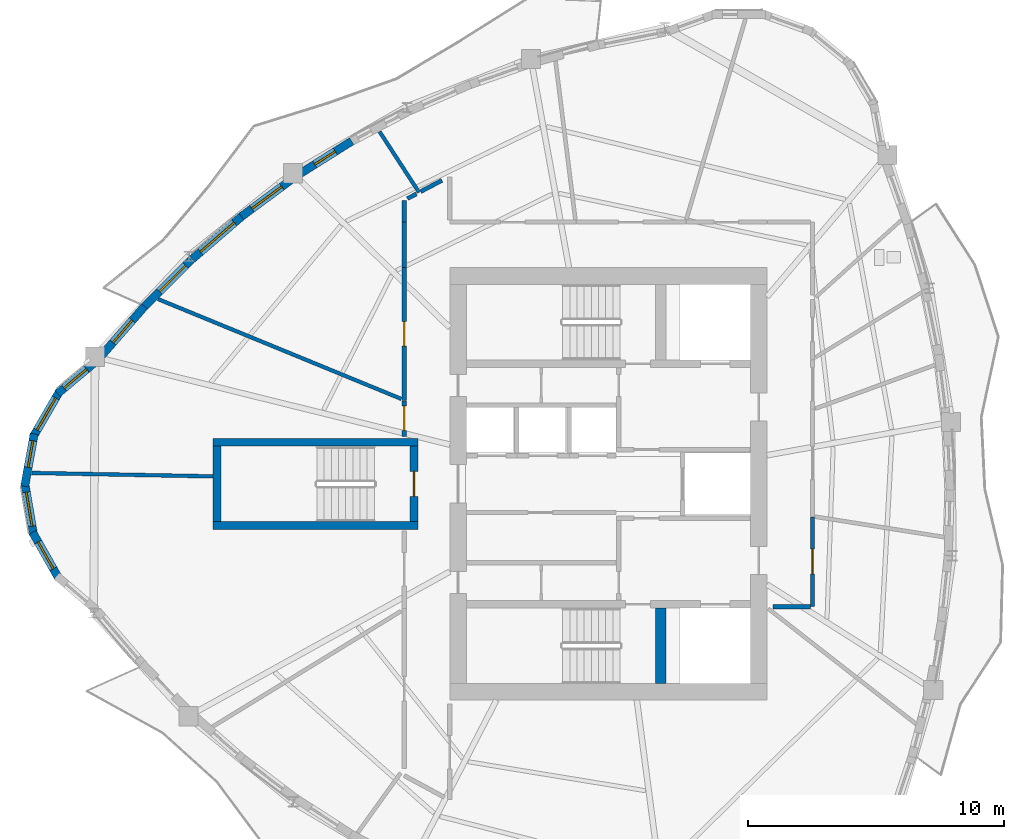
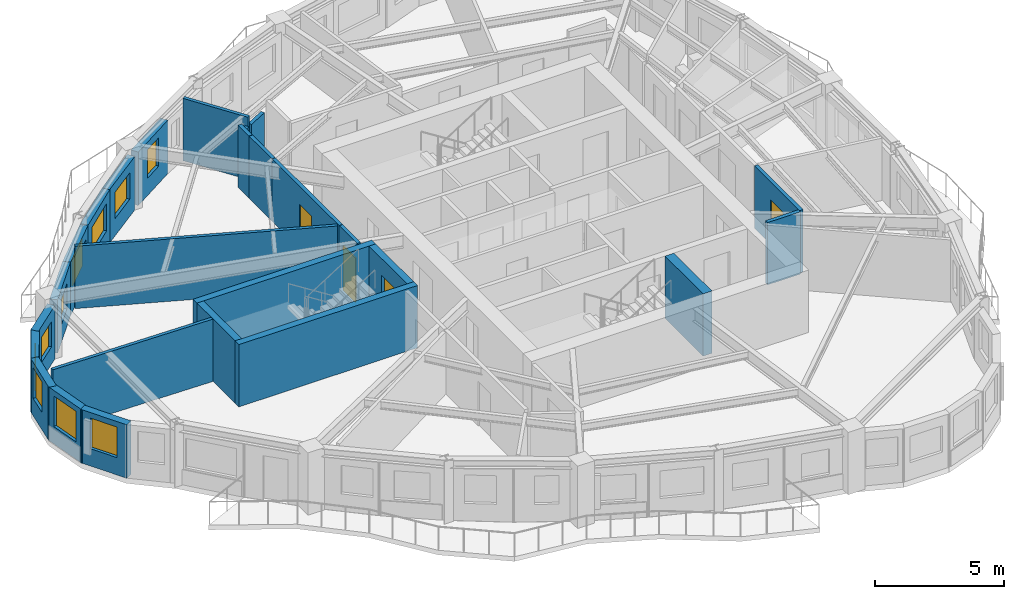
# One storey, part 4 of 12: 26 walls, 10 windows, 4 doors, 14 openings.
"""IFC4 building model written with IfcOpenShell, lengths in metres."""

import ifcopenshell
import ifcopenshell.guid

model = None  # the IFC model being written
_history = None  # IfcOwnerHistory: only IFC2X3 demands one
_inside = {}  # id of a spatial element -> (the spatial element, [elements in it])
_under = {}  # id of a project, library or spatial element -> (it, [spatial elements below it])
_declared = {}  # id of a project -> (the project, [libraries it declares])
_typed = {}  # id of a type object -> (the type object, [elements of that type])
_made_of = {}  # id of a material, layer set ... -> (it, [elements and type objects made of it])


def new_model(schema):
    """Start an empty IFC model of exactly this schema.

    Asked for "IFC4X3", IfcOpenShell would pick the latest addendum, in which some entities
    have other attributes; the version numbers below select the first issue.
    IFC2X3 requires an IfcOwnerHistory on every rooted entity: one is made here for all.
    """
    global model, _history
    if schema == "IFC4X3":
        model = ifcopenshell.file(schema_version=(4, 3, 0, 0))
    else:
        model = ifcopenshell.file(schema=schema)
    _inside.clear()
    _under.clear()
    _declared.clear()
    _typed.clear()
    _made_of.clear()
    _history = None
    if model.schema == "IFC2X3":
        org = make("IfcOrganization", Name="unknown")
        user = make(
            "IfcPersonAndOrganization",
            ThePerson=make("IfcPerson", FamilyName="unknown"),
            TheOrganization=org,
        )
        app = make(
            "IfcApplication",
            ApplicationDeveloper=org,
            Version="unknown",
            ApplicationFullName="unknown",
            ApplicationIdentifier="unknown",
        )
        _history = make(
            "IfcOwnerHistory",
            OwningUser=user,
            OwningApplication=app,
            ChangeAction="ADDED",
            CreationDate=0,
        )
    return model


def make(cls, **values):
    """One entity of the class cls with the attributes given. An attribute that is None is left unset."""
    return model.create_entity(
        cls, **{name: value for name, value in values.items() if value is not None}
    )


def rooted(cls, **values):
    """An entity with a GlobalId (a new one), such as an element, a storey or a relation."""
    return make(cls, GlobalId=ifcopenshell.guid.new(), OwnerHistory=_history, **values)


def si_unit(unit_type, name, prefix=None):
    """IfcSIUnit, for example si_unit("LENGTHUNIT", "METRE", prefix="MILLI")."""
    return make("IfcSIUnit", UnitType=unit_type, Prefix=prefix, Name=name)


def assignment(units):
    """IfcUnitAssignment: the units of a project."""
    return None if units is None else make("IfcUnitAssignment", Units=units)


def point(xyz):
    """IfcCartesianPoint."""
    return None if xyz is None else make("IfcCartesianPoint", Coordinates=xyz)


def direction(xyz):
    """IfcDirection."""
    return None if xyz is None else make("IfcDirection", DirectionRatios=xyz)


def frame(location, z_axis=None, x_axis=None):
    """IfcAxis2Placement3D, a coordinate frame: its origin and axes. An axis left out is left unset."""
    return make(
        "IfcAxis2Placement3D",
        Location=point(location),
        Axis=direction(z_axis),
        RefDirection=direction(x_axis),
    )


def frame_2d(location, x_axis=None):
    """IfcAxis2Placement2D, a coordinate frame in the plane: its origin and x axis."""
    return make(
        "IfcAxis2Placement2D", Location=point(location), RefDirection=direction(x_axis)
    )


def origin():
    """The frame at (0, 0, 0) with its axes left unset."""
    return frame((0.0, 0.0, 0.0))


def place(relative_to, where):
    """IfcLocalPlacement: puts the frame where relative to a parent placement (None: the world)."""
    return make(
        "IfcLocalPlacement", PlacementRelTo=relative_to, RelativePlacement=where
    )


def context(
    kind, dimensions, precision=None, world=None, true_north=None, identifier=None
):
    """IfcGeometricRepresentationContext, for example the 3D "Model" context."""
    return make(
        "IfcGeometricRepresentationContext",
        ContextIdentifier=identifier,
        ContextType=kind,
        CoordinateSpaceDimension=dimensions,
        Precision=precision,
        WorldCoordinateSystem=world,
        TrueNorth=true_north,
    )


def subcontext(parent, identifier, kind, view, scale=None):
    """IfcGeometricRepresentationSubContext, for example "Body" below "Model"."""
    return make(
        "IfcGeometricRepresentationSubContext",
        ContextIdentifier=identifier,
        ContextType=kind,
        ParentContext=parent,
        TargetScale=scale,
        TargetView=view,
    )


def project(units=None, contexts=None):
    """IfcProject with its units and contexts."""
    return rooted(
        "IfcProject",
        Name="project",
        RepresentationContexts=contexts,
        UnitsInContext=assignment(units),
    )


def spatial(cls, under=None, at=None, **own):
    """A site, building, storey or space (cls), placed at a placement, below another one or the project."""
    s = rooted(cls, ObjectPlacement=at, **own)
    if under is not None:
        _under.setdefault(under.id(), (under, []))[1].append(s)
    return s


def profile(cls, at=None, kind="AREA", **sizes):
    """A parametric profile (cls). Its sizes go by their IFC names, for example OverallWidth=200.0."""
    return make(cls, ProfileType=kind, Position=at, **sizes)


def rectangle(**sizes):
    """IfcRectangleProfileDef."""
    return profile("IfcRectangleProfileDef", **sizes)


def extrude(swept, where, along, depth):
    """IfcExtrudedAreaSolid: the profile swept, set in the frame where, extruded along a direction by depth."""
    return make(
        "IfcExtrudedAreaSolid",
        SweptArea=swept,
        Position=where,
        ExtrudedDirection=direction(along),
        Depth=depth,
    )


def shape(context_of_items, identifier, shape_type, items):
    """IfcShapeRepresentation: the items that make up one representation, for example the "Body"."""
    return make(
        "IfcShapeRepresentation",
        ContextOfItems=context_of_items,
        RepresentationIdentifier=identifier,
        RepresentationType=shape_type,
        Items=items,
    )


def source(mapping_origin, context_of_items, identifier, shape_type, items):
    """IfcRepresentationMap: a shape defined once, which mapped items show again and again."""
    return make(
        "IfcRepresentationMap",
        MappingOrigin=mapping_origin,
        MappedRepresentation=shape(context_of_items, identifier, shape_type, items),
    )


def transform(
    local_origin,
    x_axis=None,
    y_axis=None,
    z_axis=None,
    scale=None,
    scale2=None,
    scale3=None,
    uniform=True,
):
    """IfcCartesianTransformationOperator3D, or its non-uniform kind. x_axis, y_axis, z_axis: its Axis1, 2, 3."""
    if uniform:
        return make(
            "IfcCartesianTransformationOperator3D",
            Axis1=direction(x_axis),
            Axis2=direction(y_axis),
            LocalOrigin=point(local_origin),
            Scale=scale,
            Axis3=direction(z_axis),
        )
    return make(
        "IfcCartesianTransformationOperator3DnonUniform",
        Axis1=direction(x_axis),
        Axis2=direction(y_axis),
        LocalOrigin=point(local_origin),
        Scale=scale,
        Axis3=direction(z_axis),
        Scale2=scale2,
        Scale3=scale3,
    )


def mapped(mapping_source, mapping_target):
    """IfcMappedItem: shows the shape of a source again, moved by a transform."""
    return make(
        "IfcMappedItem", MappingSource=mapping_source, MappingTarget=mapping_target
    )


def material(Name=None, Category=None):
    """IfcMaterial."""
    return make("IfcMaterial", Name=Name, Category=Category)


def layer(
    of_material, thickness, ventilated=None, Name=None, Category=None, Priority=None
):
    """IfcMaterialLayer: one layer of a wall or slab, of a material (None: an air gap)."""
    return make(
        "IfcMaterialLayer",
        Material=of_material,
        LayerThickness=thickness,
        IsVentilated=ventilated,
        Name=Name,
        Category=Category,
        Priority=Priority,
    )


def layer_set(layers, Name=None):
    """IfcMaterialLayerSet."""
    return make("IfcMaterialLayerSet", MaterialLayers=layers, LayerSetName=Name)


def made_of(thing, what):
    """Note that an element or type object is made of a material, layer set ...; save() writes the relation."""
    if what is not None:
        _made_of.setdefault(what.id(), (what, []))[1].append(thing)
    return thing


def type_object(cls, material=None, **own):
    """A type object (cls), such as IfcWallType, which elements share."""
    return made_of(rooted(cls, **own), material)


def element(
    cls,
    number,
    at=None,
    inside=None,
    cuts=None,
    type_object=None,
    material=None,
    context=None,
    identifier="Body",
    shape_type=None,
    held_by="IfcProductDefinitionShape",
    body=None,
    shapes=None,
    **own,
):
    """One element of the class cls, such as IfcWall. Its Tag is "e" and its number.

    at: its placement. inside: the storey or other place that contains it. cuts: it is an
    opening in that element (IfcRelVoidsElement). A single representation is given by context,
    identifier, shape_type and body (its items); several are given by shapes. held_by: the class
    of the entity that holds the representations. save() writes the other relations.
    """
    e = rooted(cls, Tag="e%d" % number, ObjectPlacement=at, **own)
    if body is not None:
        shapes = [shape(context, identifier, shape_type, body)]
    if shapes is not None:
        e.Representation = make(held_by, Representations=shapes)
    if inside is not None:
        _inside.setdefault(inside.id(), (inside, []))[1].append(e)
    if cuts is not None:
        rooted(
            "IfcRelVoidsElement", RelatingBuildingElement=cuts, RelatedOpeningElement=e
        )
    if type_object is not None:
        _typed.setdefault(type_object.id(), (type_object, []))[1].append(e)
    return made_of(e, material)


def fill(opening, filler):
    """IfcRelFillsElement: the door or window that sits in an opening."""
    return rooted(
        "IfcRelFillsElement",
        RelatingOpeningElement=opening,
        RelatedBuildingElement=filler,
    )


def aggregate(whole, parts):
    """IfcRelAggregates: a whole, such as a stair, and the parts it consists of."""
    return rooted("IfcRelAggregates", RelatingObject=whole, RelatedObjects=parts)


def save(model, path):
    """Write the relations noted so far, then the file.

    IfcRelAggregates (storeys below a building ...), IfcRelContainedInSpatialStructure (elements
    in a storey), IfcRelDefinesByType, IfcRelAssociatesMaterial and IfcRelDeclares: one each for
    every whole, place, type object, material and project.
    """
    for whole, parts in _under.values():
        aggregate(whole, parts)
    for where, things in _inside.values():
        rooted(
            "IfcRelContainedInSpatialStructure",
            RelatedElements=things,
            RelatingStructure=where,
        )
    for kind, things in _typed.values():
        rooted("IfcRelDefinesByType", RelatedObjects=things, RelatingType=kind)
    for what, things in _made_of.values():
        rooted("IfcRelAssociatesMaterial", RelatedObjects=things, RelatingMaterial=what)
    for by, libraries in _declared.values():
        rooted("IfcRelDeclares", RelatingContext=by, RelatedDefinitions=libraries)
    model.write(path)


model = new_model("IFC4")

# Units and contexts
model_context = context("Model", 3, precision=1e-05, world=origin(), true_north=direction((0.0, 1.0)))
body_context = subcontext(model_context, "Body", "Model", "MODEL_VIEW")
ifc_project = project(units=[si_unit("LENGTHUNIT", "METRE"), si_unit("AREAUNIT", "SQUARE_METRE"), si_unit("VOLUMEUNIT", "CUBIC_METRE"), si_unit("PLANEANGLEUNIT", "RADIAN"), si_unit("MASSUNIT", "GRAM", prefix="KILO")], contexts=[model_context])

# Site, building, storey
site_placement = place(None, origin())
site = spatial("IfcSite", under=ifc_project, at=site_placement, CompositionType="ELEMENT")
building_placement = place(site_placement, origin())
building = spatial("IfcBuilding", under=site, at=building_placement, Name="Qafzar Sky-Pleat Residences", CompositionType="ELEMENT")
storey_placement = place(building_placement, frame((0.0, 0.0, 177.800048828125)))
storey = spatial("IfcBuildingStorey", under=building, at=storey_placement, Name="L53", CompositionType="ELEMENT", Elevation=177.800048828125)

# Wall, opening, door
ifc_material_1 = material(Name="Acoustic gypsum plasterboard partition", Category="gypsum")
ifc_layer_1 = layer(ifc_material_1, 0.159912109375)
ifc_layer_set_1 = layer_set([ifc_layer_1], Name="Acoustic gypsum plasterboard partition")
wall_type_1 = type_object("IfcWallType", Name="PART-COR-160", PredefinedType="PARTITIONING", material=ifc_layer_set_1)
wall_1_placement = place(storey_placement, frame((22.3701171875, 29.259033203125, 0.0), z_axis=(0.0, 0.0, 1.0), x_axis=(0.0, 1.0, 0.0)))
wall_1 = element("IfcWall", 1, at=wall_1_placement, inside=storey, type_object=wall_type_1, Name="L53 Partition Wall PART-L53-PW-002", PredefinedType="PARTITIONING", context=body_context, shape_type="SweptSolid", body=[
    extrude(rectangle(XDim=5.19091796875, YDim=0.159912109375, at=frame_2d((2.595458984375, 0.0))), origin(), (0.0, 0.0, 1.0), 2.949951171875),
])
opening_1_placement = place(wall_1_placement, frame((2.12353515625, 0.0, 0.0)))
opening_1 = element("IfcOpeningElement", 2, at=opening_1_placement, cuts=wall_1, Name="Opening ID-06", PredefinedType="OPENING", context=body_context, shape_type="SweptSolid", body=[
    extrude(rectangle(XDim=0.9599609375, YDim=2.10009765625, at=frame_2d((0.47998046875, 1.050048828125))), frame((0.0, 0.08984375, 0.0), z_axis=(0.0, -1.0, 0.0), x_axis=(1.0, 0.0, 0.0)), (0.0, 0.0, 1.0), 0.179931640625),
])
ifc_material_2 = material(Name="Timber-faced fire door", Category="wood")
door_type_1 = type_object("IfcDoorType", Name="DR-STD-960", OperationType="NOTDEFINED", PredefinedType="DOOR", material=ifc_material_2)
shared_shape_1 = source(origin(), body_context, "Body", "SweptSolid", [
    extrude(rectangle(XDim=0.9599609375, YDim=2.10009765625, at=frame_2d((0.47998046875, 1.050048828125))), frame((0.0, 0.02490234375, 0.0), z_axis=(0.0, -1.0, 0.0), x_axis=(1.0, 0.0, 0.0)), (0.0, 0.0, 1.0), 0.050048828125),
])
door_1_placement = place(opening_1_placement, origin())
door_1 = element("IfcDoor", 3, at=door_1_placement, inside=storey, type_object=door_type_1, Name="L53 Faculty Research Office Door", OperationType="SINGLE_SWING_RIGHT", OverallHeight=2.10009765625, OverallWidth=0.9599609375, PredefinedType="DOOR", context=body_context, shape_type="MappedRepresentation", body=[
    mapped(shared_shape_1, transform((0.0, 0.0, 0.0), x_axis=(1.0, 0.0, 0.0), y_axis=(0.0, 1.0, 0.0), z_axis=(0.0, 0.0, 1.0), scale=1.0)),
])
fill(opening_1, door_1)

wall_2_placement = place(storey_placement, frame((38.330078125, 24.705078125, 0.0), z_axis=(0.0, 0.0, 1.0), x_axis=(0.0, -1.0, 0.0)))
wall_2 = element("IfcWall", 4, at=wall_2_placement, inside=storey, type_object=wall_type_1, Name="L53 Partition Wall PART-L53-PW-007", PredefinedType="PARTITIONING", context=body_context, shape_type="SweptSolid", body=[
    extrude(rectangle(XDim=3.505126953125, YDim=0.159912109375, at=frame_2d((1.75244140625, 0.0))), origin(), (0.0, 0.0, 1.0), 2.949951171875),
])
opening_2_placement = place(wall_2_placement, frame((1.257568359375, 0.0, 0.0)))
opening_2 = element("IfcOpeningElement", 5, at=opening_2_placement, cuts=wall_2, Name="Opening ID-06", PredefinedType="OPENING", context=body_context, shape_type="SweptSolid", body=[
    extrude(rectangle(XDim=0.9599609375, YDim=2.10009765625, at=frame_2d((0.47998046875, 1.050048828125))), frame((0.0, 0.08984375, 0.0), z_axis=(0.0, -1.0, 0.0), x_axis=(1.0, 0.0, 0.0)), (0.0, 0.0, 1.0), 0.179931640625),
])
door_2_placement = place(opening_2_placement, origin())
door_2 = element("IfcDoor", 6, at=door_2_placement, inside=storey, type_object=door_type_1, Name="L53 Media Screening Room Door", OperationType="SINGLE_SWING_LEFT", OverallHeight=2.10009765625, OverallWidth=0.9599609375, PredefinedType="DOOR", context=body_context, shape_type="MappedRepresentation", body=[
    mapped(shared_shape_1, transform((0.0, 0.0, 0.0), x_axis=(1.0, 0.0, 0.0), y_axis=(0.0, 1.0, 0.0), z_axis=(0.0, 0.0, 1.0), scale=1.0)),
])
fill(opening_2, door_2)

wall_3_placement = place(storey_placement, frame((22.3701171875, 27.85009765625, 0.0), z_axis=(0.0, 0.0, 1.0), x_axis=(0.0, 1.0, 0.0)))
wall_3 = element("IfcWall", 7, at=wall_3_placement, inside=storey, type_object=wall_type_1, Name="L53 Partition Wall PART-L53-PW-012", PredefinedType="PARTITIONING", context=body_context, shape_type="SweptSolid", body=[
    extrude(rectangle(XDim=1.393798828125, YDim=0.159912109375, at=frame_2d((0.69677734375, 0.0))), origin(), (0.0, 0.0, 1.0), 2.949951171875),
])
opening_3_placement = place(wall_3_placement, frame((0.23876953125, 0.0, 0.0)))
opening_3 = element("IfcOpeningElement", 8, at=opening_3_placement, cuts=wall_3, Name="Opening ID-06", PredefinedType="OPENING", context=body_context, shape_type="SweptSolid", body=[
    extrude(rectangle(XDim=0.9599609375, YDim=2.10009765625, at=frame_2d((0.47998046875, 1.050048828125))), frame((0.0, 0.08984375, 0.0), z_axis=(0.0, -1.0, 0.0), x_axis=(1.0, 0.0, 0.0)), (0.0, 0.0, 1.0), 0.179931640625),
])
door_3_placement = place(opening_3_placement, origin())
door_3 = element("IfcDoor", 9, at=door_3_placement, inside=storey, type_object=door_type_1, Name="L53 Scholar Co-Working Workspace Door", OperationType="SINGLE_SWING_RIGHT", OverallHeight=2.10009765625, OverallWidth=0.9599609375, PredefinedType="DOOR", context=body_context, shape_type="MappedRepresentation", body=[
    mapped(shared_shape_1, transform((0.0, 0.0, 0.0), x_axis=(1.0, 0.0, 0.0), y_axis=(0.0, 1.0, 0.0), z_axis=(0.0, 0.0, 1.0), scale=1.0)),
])
fill(opening_3, door_3)

# Walls
wall_4_placement = place(storey_placement, frame((36.7783203125, 21.199951171875, 0.0), z_axis=(0.0, 0.0, 1.0), x_axis=(1.0, 0.0, 0.0)))
element("IfcWall", 10, at=wall_4_placement, inside=storey, type_object=wall_type_1, Name="L53 Partition Wall PART-L53-PW-025", PredefinedType="PARTITIONING", context=body_context, shape_type="SweptSolid", body=[
    extrude(rectangle(XDim=1.463623046875, YDim=0.159912109375, at=frame_2d((0.73193359375, 0.0))), origin(), (0.0, 0.0, 1.0), 2.949951171875),
])
wall_5_placement = place(storey_placement, frame((22.3701171875, 34.465087890625, 0.0), z_axis=(0.0, 0.0, 1.0), x_axis=(0.0, 1.0, 0.0)))
element("IfcWall", 11, at=wall_5_placement, inside=storey, type_object=wall_type_1, Name="L53 Partition Wall PART-L53-PW-030", PredefinedType="PARTITIONING", context=body_context, shape_type="SweptSolid", body=[
    extrude(rectangle(XDim=1.764892578125, YDim=0.159912109375, at=frame_2d((0.88232421875, 0.0))), origin(), (0.0, 0.0, 1.0), 2.949951171875),
])
wall_6_placement = place(storey_placement, frame((23.013916015625, 37.426025390625, 0.0), z_axis=(0.0, 0.0, 1.0), x_axis=(0.884432472224, 0.466668192697, 0.0)))
element("IfcWall", 12, at=wall_6_placement, inside=storey, type_object=wall_type_1, Name="L53 Partition Wall PART-L53-PW-032", PredefinedType="PARTITIONING", context=body_context, shape_type="SweptSolid", body=[
    extrude(rectangle(XDim=0.9384765625, YDim=0.159912109375, at=frame_2d((0.46923828125, 0.0))), origin(), (0.0, 0.0, 1.0), 2.557861328125),
])
wall_7_placement = place(storey_placement, frame((22.3701171875, 36.2451171875, 0.0), z_axis=(0.0, 0.0, 1.0), x_axis=(0.0, 1.0, 0.0)))
element("IfcWall", 13, at=wall_7_placement, inside=storey, type_object=wall_type_1, Name="L53 Partition Wall PART-L53-PW-033", PredefinedType="PARTITIONING", context=body_context, shape_type="SweptSolid", body=[
    extrude(rectangle(XDim=0.8408203125, YDim=0.159912109375, at=frame_2d((0.42041015625, 0.0))), origin(), (0.0, 0.0, 1.0), 2.949951171875),
])
wall_8_placement = place(storey_placement, frame((22.494384765625, 37.151611328125, 0.0), z_axis=(0.0, 0.0, 1.0), x_axis=(0.884356504768, 0.466812138311, 0.0)))
element("IfcWall", 14, at=wall_8_placement, inside=storey, type_object=wall_type_1, Name="L53 Partition Wall PART-L53-PW-034", PredefinedType="PARTITIONING", context=body_context, shape_type="SweptSolid", body=[
    extrude(rectangle(XDim=0.396484375, YDim=0.159912109375, at=frame_2d((0.1982421875, 0.0))), origin(), (0.0, 0.0, 1.0), 2.557861328125),
])
ifc_layer_2 = layer(ifc_material_1, 0.14501953125)
ifc_layer_set_2 = layer_set([ifc_layer_2], Name="Acoustic gypsum plasterboard partition")
wall_type_2 = type_object("IfcWallType", Name="PART-UNIT-145", PredefinedType="PARTITIONING", material=ifc_layer_set_2)
wall_9_placement = place(storey_placement, frame((12.74853515625, 33.22265625, 0.0), z_axis=(0.0, 0.0, 1.0), x_axis=(0.925160061079, -0.379577213996, 0.0)))
element("IfcWall", 15, at=wall_9_placement, inside=storey, type_object=wall_type_2, Name="L53 Partition Wall PART-L53-PW-013", PredefinedType="PARTITIONING", context=body_context, shape_type="SweptSolid", body=[
    extrude(rectangle(XDim=10.275634765625, YDim=0.14501953125, at=frame_2d((5.1376953125, 0.0))), origin(), (0.0, 0.0, 1.0), 2.949951171875),
])
wall_10_placement = place(storey_placement, frame((7.810546875, 26.428466796875, 0.0), z_axis=(0.0, 0.0, 1.0), x_axis=(0.99982020308, -0.0189621073, 0.0)))
element("IfcWall", 16, at=wall_10_placement, inside=storey, type_object=wall_type_2, Name="L53 Partition Wall PART-L53-PW-017", PredefinedType="PARTITIONING", context=body_context, shape_type="SweptSolid", body=[
    extrude(rectangle(XDim=7.081298828125, YDim=0.14501953125, at=frame_2d((3.54052734375, 0.0))), origin(), (0.0, 0.0, 1.0), 2.949951171875),
])
wall_11_placement = place(storey_placement, frame((21.404541015625, 39.771240234375, 0.0), z_axis=(0.0, 0.0, 1.0), x_axis=(0.544731217197, -0.838610696933, 0.0)))
element("IfcWall", 17, at=wall_11_placement, inside=storey, type_object=wall_type_2, Name="L53 Partition Wall PART-L53-PW-024", PredefinedType="PARTITIONING", context=body_context, shape_type="SweptSolid", body=[
    extrude(rectangle(XDim=2.8369140625, YDim=0.14501953125, at=frame_2d((1.41845703125, 0.0))), origin(), (0.0, 0.0, 1.0), 2.949951171875),
])

# Wall, opening, window
ifc_material_3 = material(Name="Precast concrete C40/50 with honed Riyadh limestone", Category="concrete")
ifc_layer_3 = layer(ifc_material_3, 0.320068359375)
ifc_layer_set_3 = layer_set([ifc_layer_3], Name="Precast concrete C40/50 with honed Riyadh limestone")
wall_type_3 = type_object("IfcWallType", Name="WALL-EXT-320", PredefinedType="SOLIDWALL", material=ifc_layer_set_3)
wall_12_placement = place(storey_placement, frame((10.259521484375, 30.738525390625, 0.0), z_axis=(0.0, 0.0, 1.0), x_axis=(-0.766567176116, -0.642164125829, 0.0)))
wall_12 = element("IfcWall", 18, at=wall_12_placement, inside=storey, type_object=wall_type_3, Name="L53 Limestone Facade Wall 1", PredefinedType="SOLIDWALL", context=body_context, shape_type="SweptSolid", body=[
    extrude(rectangle(XDim=1.878173828125, YDim=0.320068359375, at=frame_2d((0.93896484375, 0.0))), origin(), (0.0, 0.0, 1.0), 2.530029296875),
])
opening_4_placement = place(wall_12_placement, frame((0.39892578125, 0.0, 0.820068359375)))
opening_4 = element("IfcOpeningElement", 19, at=opening_4_placement, cuts=wall_12, Name="Opening WN-16", PredefinedType="OPENING", context=body_context, shape_type="SweptSolid", body=[
    extrude(rectangle(XDim=1.14990234375, YDim=1.199951171875, at=frame_2d((0.574951171875, 0.60009765625))), frame((0.0, 0.169921875, 0.0), z_axis=(0.0, -1.0, 0.0), x_axis=(1.0, 0.0, 0.0)), (0.0, 0.0, 1.0), 0.340087890625),
])
ifc_material_4 = material(Name="Solar-control low-E glass in bronze aluminium frame", Category="glass")
window_type_1 = type_object("IfcWindowType", Name="WIN-16", PartitioningType="SINGLE_PANEL", PredefinedType="WINDOW", material=ifc_material_4)
shared_shape_2 = source(origin(), body_context, "Body", "SweptSolid", [
    extrude(rectangle(XDim=1.14990234375, YDim=1.199951171875, at=frame_2d((0.574951171875, 0.60009765625))), frame((0.0, 0.030029296875, 0.0), z_axis=(0.0, -1.0, 0.0), x_axis=(1.0, 0.0, 0.0)), (0.0, 0.0, 1.0), 0.06005859375),
])
window_1_placement = place(opening_4_placement, origin())
window_1 = element("IfcWindow", 20, at=window_1_placement, inside=storey, type_object=window_type_1, Name="L53 Punched Facade Window 01", OverallHeight=1.199951171875, OverallWidth=1.14990234375, PartitioningType="SINGLE_PANEL", PredefinedType="WINDOW", context=body_context, shape_type="MappedRepresentation", body=[
    mapped(shared_shape_2, transform((0.0, 0.0, 0.0), x_axis=(1.0, 0.0, 0.0), y_axis=(0.0, 1.0, 0.0), z_axis=(0.0, 0.0, 1.0), scale=1.0)),
])
fill(opening_4, window_1)

wall_13_placement = place(storey_placement, frame((8.90380859375, 29.632080078125, 0.0), z_axis=(0.0, 0.0, 1.0), x_axis=(-0.502090235641, -0.864815237651, 0.0)))
wall_13 = element("IfcWall", 21, at=wall_13_placement, inside=storey, type_object=wall_type_3, Name="L53 Limestone Facade Wall 2", PredefinedType="SOLIDWALL", context=body_context, shape_type="SweptSolid", body=[
    extrude(rectangle(XDim=2.0810546875, YDim=0.320068359375, at=frame_2d((1.04052734375, 0.0))), origin(), (0.0, 0.0, 1.0), 2.530029296875),
])
opening_5_placement = place(wall_13_placement, frame((0.3154296875, 0.0, 0.820068359375)))
opening_5 = element("IfcOpeningElement", 22, at=opening_5_placement, cuts=wall_13, Name="Opening WN-15", PredefinedType="OPENING", context=body_context, shape_type="SweptSolid", body=[
    extrude(rectangle(XDim=1.449951171875, YDim=1.25, at=frame_2d((0.72509765625, 0.625))), frame((0.0, 0.169921875, 0.0), z_axis=(0.0, -1.0, 0.0), x_axis=(1.0, 0.0, 0.0)), (0.0, 0.0, 1.0), 0.340087890625),
])
window_type_2 = type_object("IfcWindowType", Name="WIN-15", PartitioningType="SINGLE_PANEL", PredefinedType="WINDOW", material=ifc_material_4)
shared_shape_3 = source(origin(), body_context, "Body", "SweptSolid", [
    extrude(rectangle(XDim=1.449951171875, YDim=1.25, at=frame_2d((0.72509765625, 0.625))), frame((0.0, 0.030029296875, 0.0), z_axis=(0.0, -1.0, 0.0), x_axis=(1.0, 0.0, 0.0)), (0.0, 0.0, 1.0), 0.06005859375),
])
window_2_placement = place(opening_5_placement, origin())
window_2 = element("IfcWindow", 23, at=window_2_placement, inside=storey, type_object=window_type_2, Name="L53 Punched Facade Window 02", OverallHeight=1.25, OverallWidth=1.449951171875, PartitioningType="SINGLE_PANEL", PredefinedType="WINDOW", context=body_context, shape_type="MappedRepresentation", body=[
    mapped(shared_shape_3, transform((0.0, 0.0, 0.0), x_axis=(1.0, 0.0, 0.0), y_axis=(0.0, 1.0, 0.0), z_axis=(0.0, 0.0, 1.0), scale=1.0)),
])
fill(opening_5, window_2)

wall_14_placement = place(storey_placement, frame((7.90380859375, 27.95458984375, 0.0), z_axis=(0.0, 0.0, 1.0), x_axis=(-0.177605215389, -0.984101817632, 0.0)))
wall_14 = element("IfcWall", 24, at=wall_14_placement, inside=storey, type_object=wall_type_3, Name="L53 Limestone Facade Wall 3", PredefinedType="SOLIDWALL", context=body_context, shape_type="SweptSolid", body=[
    extrude(rectangle(XDim=2.081298828125, YDim=0.320068359375, at=frame_2d((1.04052734375, 0.0))), origin(), (0.0, 0.0, 1.0), 2.530029296875),
])
opening_6_placement = place(wall_14_placement, frame((0.276611328125, 0.0, 0.820068359375)))
opening_6 = element("IfcOpeningElement", 25, at=opening_6_placement, cuts=wall_14, Name="Opening WN-06", PredefinedType="OPENING", context=body_context, shape_type="SweptSolid", body=[
    extrude(rectangle(XDim=1.050048828125, YDim=1.449951171875, at=frame_2d((0.52490234375, 0.72509765625))), frame((0.0, 0.169921875, 0.0), z_axis=(0.0, -1.0, 0.0), x_axis=(1.0, 0.0, 0.0)), (0.0, 0.0, 1.0), 0.340087890625),
])
window_type_3 = type_object("IfcWindowType", Name="WIN-06", PartitioningType="SINGLE_PANEL", PredefinedType="WINDOW", material=ifc_material_4)
shared_shape_4 = source(origin(), body_context, "Body", "SweptSolid", [
    extrude(rectangle(XDim=1.050048828125, YDim=1.449951171875, at=frame_2d((0.52490234375, 0.72509765625))), frame((0.0, 0.030029296875, 0.0), z_axis=(0.0, -1.0, 0.0), x_axis=(1.0, 0.0, 0.0)), (0.0, 0.0, 1.0), 0.06005859375),
])
window_3_placement = place(opening_6_placement, origin())
window_3 = element("IfcWindow", 26, at=window_3_placement, inside=storey, type_object=window_type_3, Name="L53 Punched Facade Window 03", OverallHeight=1.449951171875, OverallWidth=1.050048828125, PartitioningType="SINGLE_PANEL", PredefinedType="WINDOW", context=body_context, shape_type="MappedRepresentation", body=[
    mapped(shared_shape_4, transform((0.0, 0.0, 0.0), x_axis=(1.0, 0.0, 0.0), y_axis=(0.0, 1.0, 0.0), z_axis=(0.0, 0.0, 1.0), scale=1.0)),
])
fill(opening_6, window_3)

wall_15_placement = place(storey_placement, frame((7.53466796875, 26.03662109375, 0.0), z_axis=(0.0, 0.0, 1.0), x_axis=(0.168107405166, -0.985768685001, 0.0)))
wall_15 = element("IfcWall", 27, at=wall_15_placement, inside=storey, type_object=wall_type_3, Name="L53 Limestone Facade Wall 4", PredefinedType="SOLIDWALL", context=body_context, shape_type="SweptSolid", body=[
    extrude(rectangle(XDim=2.0810546875, YDim=0.320068359375, at=frame_2d((1.04052734375, 0.0))), origin(), (0.0, 0.0, 1.0), 2.530029296875),
])
opening_7_placement = place(wall_15_placement, frame((0.365478515625, 0.0, 0.820068359375)))
opening_7 = element("IfcOpeningElement", 28, at=opening_7_placement, cuts=wall_15, Name="Opening WN-04", PredefinedType="OPENING", context=body_context, shape_type="SweptSolid", body=[
    extrude(rectangle(XDim=1.35009765625, YDim=1.449951171875, at=frame_2d((0.675048828125, 0.72509765625))), frame((0.0, 0.169921875, 0.0), z_axis=(0.0, -1.0, 0.0), x_axis=(1.0, 0.0, 0.0)), (0.0, 0.0, 1.0), 0.340087890625),
])
window_type_4 = type_object("IfcWindowType", Name="WIN-04", PartitioningType="SINGLE_PANEL", PredefinedType="WINDOW", material=ifc_material_4)
shared_shape_5 = source(origin(), body_context, "Body", "SweptSolid", [
    extrude(rectangle(XDim=1.35009765625, YDim=1.449951171875, at=frame_2d((0.675048828125, 0.72509765625))), frame((0.0, 0.030029296875, 0.0), z_axis=(0.0, -1.0, 0.0), x_axis=(1.0, 0.0, 0.0)), (0.0, 0.0, 1.0), 0.06005859375),
])
window_4_placement = place(opening_7_placement, origin())
window_4 = element("IfcWindow", 29, at=window_4_placement, inside=storey, type_object=window_type_4, Name="L53 Punched Facade Window 04", OverallHeight=1.449951171875, OverallWidth=1.35009765625, PartitioningType="SINGLE_PANEL", PredefinedType="WINDOW", context=body_context, shape_type="MappedRepresentation", body=[
    mapped(shared_shape_5, transform((0.0, 0.0, 0.0), x_axis=(1.0, 0.0, 0.0), y_axis=(0.0, 1.0, 0.0), z_axis=(0.0, 0.0, 1.0), scale=1.0)),
])
fill(opening_7, window_4)

wall_16_placement = place(storey_placement, frame((7.8408203125, 24.10791015625, 0.0), z_axis=(0.0, 0.0, 1.0), x_axis=(0.493660675866, -0.869654607936, 0.0)))
wall_16 = element("IfcWall", 30, at=wall_16_placement, inside=storey, type_object=wall_type_3, Name="L53 Limestone Facade Wall 5", PredefinedType="SOLIDWALL", context=body_context, shape_type="SweptSolid", body=[
    extrude(rectangle(XDim=2.0810546875, YDim=0.320068359375, at=frame_2d((1.04052734375, 0.0))), origin(), (0.0, 0.0, 1.0), 2.530029296875),
])
opening_8_placement = place(wall_16_placement, frame((0.4404296875, 0.0, 0.820068359375)))
opening_8 = element("IfcOpeningElement", 31, at=opening_8_placement, cuts=wall_16, Name="Opening WN-05", PredefinedType="OPENING", context=body_context, shape_type="SweptSolid", body=[
    extrude(rectangle(XDim=1.199951171875, YDim=1.449951171875, at=frame_2d((0.60009765625, 0.72509765625))), frame((0.0, 0.169921875, 0.0), z_axis=(0.0, -1.0, 0.0), x_axis=(1.0, 0.0, 0.0)), (0.0, 0.0, 1.0), 0.340087890625),
])
window_type_5 = type_object("IfcWindowType", Name="WIN-05", PartitioningType="SINGLE_PANEL", PredefinedType="WINDOW", material=ifc_material_4)
shared_shape_6 = source(origin(), body_context, "Body", "SweptSolid", [
    extrude(rectangle(XDim=1.199951171875, YDim=1.449951171875, at=frame_2d((0.60009765625, 0.72509765625))), frame((0.0, 0.030029296875, 0.0), z_axis=(0.0, -1.0, 0.0), x_axis=(1.0, 0.0, 0.0)), (0.0, 0.0, 1.0), 0.06005859375),
])
window_5_placement = place(opening_8_placement, origin())
window_5 = element("IfcWindow", 32, at=window_5_placement, inside=storey, type_object=window_type_5, Name="L53 Punched Facade Window 05", OverallHeight=1.449951171875, OverallWidth=1.199951171875, PartitioningType="SINGLE_PANEL", PredefinedType="WINDOW", context=body_context, shape_type="MappedRepresentation", body=[
    mapped(shared_shape_6, transform((0.0, 0.0, 0.0), x_axis=(1.0, 0.0, 0.0), y_axis=(0.0, 1.0, 0.0), z_axis=(0.0, 0.0, 1.0), scale=1.0)),
])
fill(opening_8, window_5)

wall_17_placement = place(storey_placement, frame((20.315673828125, 39.397705078125, 0.0), z_axis=(0.0, 0.0, 1.0), x_axis=(-0.846391108811, -0.532561818878, 0.0)))
wall_17 = element("IfcWall", 33, at=wall_17_placement, inside=storey, type_object=wall_type_3, Name="L53 Limestone Facade Wall 44", PredefinedType="SOLIDWALL", context=body_context, shape_type="SweptSolid", body=[
    extrude(rectangle(XDim=2.446533203125, YDim=0.320068359375, at=frame_2d((1.22314453125, 0.0))), origin(), (0.0, 0.0, 1.0), 2.530029296875),
])
opening_9_placement = place(wall_17_placement, frame((0.75341796875, 0.0, 0.820068359375)))
opening_9 = element("IfcOpeningElement", 34, at=opening_9_placement, cuts=wall_17, Name="Opening WN-12", PredefinedType="OPENING", context=body_context, shape_type="SweptSolid", body=[
    extrude(rectangle(XDim=0.949951171875, YDim=1.35009765625, at=frame_2d((0.47509765625, 0.675048828125))), frame((0.0, 0.169921875, 0.0), z_axis=(0.0, -1.0, 0.0), x_axis=(1.0, 0.0, 0.0)), (0.0, 0.0, 1.0), 0.340087890625),
])
window_type_6 = type_object("IfcWindowType", Name="WIN-12", PartitioningType="SINGLE_PANEL", PredefinedType="WINDOW", material=ifc_material_4)
shared_shape_7 = source(origin(), body_context, "Body", "SweptSolid", [
    extrude(rectangle(XDim=0.949951171875, YDim=1.35009765625, at=frame_2d((0.47509765625, 0.675048828125))), frame((0.0, 0.030029296875, 0.0), z_axis=(0.0, -1.0, 0.0), x_axis=(1.0, 0.0, 0.0)), (0.0, 0.0, 1.0), 0.06005859375),
])
window_6_placement = place(opening_9_placement, origin())
window_6 = element("IfcWindow", 35, at=window_6_placement, inside=storey, type_object=window_type_6, Name="L53 Punched Facade Window 44", OverallHeight=1.35009765625, OverallWidth=0.949951171875, PartitioningType="SINGLE_PANEL", PredefinedType="WINDOW", context=body_context, shape_type="MappedRepresentation", body=[
    mapped(shared_shape_7, transform((0.0, 0.0, 0.0), x_axis=(1.0, 0.0, 0.0), y_axis=(0.0, 1.0, 0.0), z_axis=(0.0, 0.0, 1.0), scale=1.0)),
])
fill(opening_9, window_6)

wall_18_placement = place(storey_placement, frame((17.982421875, 37.91552734375, 0.0), z_axis=(0.0, 0.0, 1.0), x_axis=(-0.803827672273, -0.594862230511, 0.0)))
wall_18 = element("IfcWall", 36, at=wall_18_placement, inside=storey, type_object=wall_type_3, Name="L53 Limestone Facade Wall 45", PredefinedType="SOLIDWALL", context=body_context, shape_type="SweptSolid", body=[
    extrude(rectangle(XDim=2.461669921875, YDim=0.320068359375, at=frame_2d((1.23095703125, 0.0))), origin(), (0.0, 0.0, 1.0), 2.530029296875),
])
opening_10_placement = place(wall_18_placement, frame((0.500732421875, 0.0, 0.820068359375)))
opening_10 = element("IfcOpeningElement", 37, at=opening_10_placement, cuts=wall_18, Name="Opening WN-15", PredefinedType="OPENING", context=body_context, shape_type="SweptSolid", body=[
    extrude(rectangle(XDim=1.449951171875, YDim=1.25, at=frame_2d((0.72509765625, 0.625))), frame((0.0, 0.169921875, 0.0), z_axis=(0.0, -1.0, 0.0), x_axis=(1.0, 0.0, 0.0)), (0.0, 0.0, 1.0), 0.340087890625),
])
window_7_placement = place(opening_10_placement, origin())
window_7 = element("IfcWindow", 38, at=window_7_placement, inside=storey, type_object=window_type_2, Name="L53 Punched Facade Window 45", OverallHeight=1.25, OverallWidth=1.449951171875, PartitioningType="SINGLE_PANEL", PredefinedType="WINDOW", context=body_context, shape_type="MappedRepresentation", body=[
    mapped(shared_shape_3, transform((0.0, 0.0, 0.0), x_axis=(1.0, 0.0, 0.0), y_axis=(0.0, 1.0, 0.0), z_axis=(0.0, 0.0, 1.0), scale=1.0)),
])
fill(opening_10, window_7)

wall_19_placement = place(storey_placement, frame((16.072265625, 36.506103515625, 0.0), z_axis=(0.0, 0.0, 1.0), x_axis=(-0.757455764876, -0.652886486502, 0.0)))
wall_19 = element("IfcWall", 39, at=wall_19_placement, inside=storey, type_object=wall_type_3, Name="L53 Limestone Facade Wall 46", PredefinedType="SOLIDWALL", context=body_context, shape_type="SweptSolid", body=[
    extrude(rectangle(XDim=2.635986328125, YDim=0.320068359375, at=frame_2d((1.31787109375, 0.0))), origin(), (0.0, 0.0, 1.0), 2.530029296875),
])
opening_11_placement = place(wall_19_placement, frame((0.452880859375, 0.0, 0.820068359375)))
opening_11 = element("IfcOpeningElement", 40, at=opening_11_placement, cuts=wall_19, Name="Opening WN-14", PredefinedType="OPENING", context=body_context, shape_type="SweptSolid", body=[
    extrude(rectangle(XDim=1.75, YDim=1.300048828125, at=frame_2d((0.875, 0.64990234375))), frame((0.0, 0.169921875, 0.0), z_axis=(0.0, -1.0, 0.0), x_axis=(1.0, 0.0, 0.0)), (0.0, 0.0, 1.0), 0.340087890625),
])
window_type_7 = type_object("IfcWindowType", Name="WIN-14", PartitioningType="DOUBLE_PANEL_VERTICAL", PredefinedType="WINDOW", material=ifc_material_4)
shared_shape_8 = source(origin(), body_context, "Body", "SweptSolid", [
    extrude(rectangle(XDim=1.75, YDim=1.300048828125, at=frame_2d((0.875, 0.64990234375))), frame((0.0, 0.030029296875, 0.0), z_axis=(0.0, -1.0, 0.0), x_axis=(1.0, 0.0, 0.0)), (0.0, 0.0, 1.0), 0.06005859375),
])
window_8_placement = place(opening_11_placement, origin())
window_8 = element("IfcWindow", 41, at=window_8_placement, inside=storey, type_object=window_type_7, Name="L53 Punched Facade Window 46", OverallHeight=1.300048828125, OverallWidth=1.75, PartitioningType="SINGLE_PANEL", PredefinedType="WINDOW", context=body_context, shape_type="MappedRepresentation", body=[
    mapped(shared_shape_8, transform((0.0, 0.0, 0.0), x_axis=(1.0, 0.0, 0.0), y_axis=(0.0, 1.0, 0.0), z_axis=(0.0, 0.0, 1.0), scale=1.0)),
])
fill(opening_11, window_8)

wall_20_placement = place(storey_placement, frame((14.054931640625, 34.765869140625, 0.0), z_axis=(0.0, 0.0, 1.0), x_axis=(-0.708335777277, -0.705875645301, 0.0)))
wall_20 = element("IfcWall", 42, at=wall_20_placement, inside=storey, type_object=wall_type_3, Name="L53 Limestone Facade Wall 47", PredefinedType="SOLIDWALL", context=body_context, shape_type="SweptSolid", body=[
    extrude(rectangle(XDim=2.679443359375, YDim=0.320068359375, at=frame_2d((1.33984375, 0.0))), origin(), (0.0, 0.0, 1.0), 2.530029296875),
])
opening_12_placement = place(wall_20_placement, frame((0.316650390625, 0.0, 0.820068359375)))
opening_12 = element("IfcOpeningElement", 43, at=opening_12_placement, cuts=wall_20, Name="Opening WN-15", PredefinedType="OPENING", context=body_context, shape_type="SweptSolid", body=[
    extrude(rectangle(XDim=1.449951171875, YDim=1.25, at=frame_2d((0.72509765625, 0.625))), frame((0.0, 0.169921875, 0.0), z_axis=(0.0, -1.0, 0.0), x_axis=(1.0, 0.0, 0.0)), (0.0, 0.0, 1.0), 0.340087890625),
])
window_9_placement = place(opening_12_placement, origin())
window_9 = element("IfcWindow", 44, at=window_9_placement, inside=storey, type_object=window_type_2, Name="L53 Punched Facade Window 47", OverallHeight=1.25, OverallWidth=1.449951171875, PartitioningType="SINGLE_PANEL", PredefinedType="WINDOW", context=body_context, shape_type="MappedRepresentation", body=[
    mapped(shared_shape_3, transform((0.0, 0.0, 0.0), x_axis=(1.0, 0.0, 0.0), y_axis=(0.0, 1.0, 0.0), z_axis=(0.0, 0.0, 1.0), scale=1.0)),
])
fill(opening_12, window_9)

wall_21_placement = place(storey_placement, frame((12.21630859375, 32.938232421875, 0.0), z_axis=(0.0, 0.0, 1.0), x_axis=(-0.657623701515, -0.753346578412, 0.0)))
wall_21 = element("IfcWall", 45, at=wall_21_placement, inside=storey, type_object=wall_type_3, Name="L53 Limestone Facade Wall 48", PredefinedType="SOLIDWALL", context=body_context, shape_type="SweptSolid", body=[
    extrude(rectangle(XDim=2.59130859375, YDim=0.320068359375, at=frame_2d((1.295654296875, 0.0))), origin(), (0.0, 0.0, 1.0), 2.530029296875),
])
opening_13_placement = place(wall_21_placement, frame((0.7255859375, 0.0, 0.820068359375)))
opening_13 = element("IfcOpeningElement", 46, at=opening_13_placement, cuts=wall_21, Name="Opening WN-16", PredefinedType="OPENING", context=body_context, shape_type="SweptSolid", body=[
    extrude(rectangle(XDim=1.14990234375, YDim=1.199951171875, at=frame_2d((0.574951171875, 0.60009765625))), frame((0.0, 0.169921875, 0.0), z_axis=(0.0, -1.0, 0.0), x_axis=(1.0, 0.0, 0.0)), (0.0, 0.0, 1.0), 0.340087890625),
])
window_10_placement = place(opening_13_placement, origin())
window_10 = element("IfcWindow", 47, at=window_10_placement, inside=storey, type_object=window_type_1, Name="L53 Punched Facade Window 48", OverallHeight=1.199951171875, OverallWidth=1.14990234375, PartitioningType="SINGLE_PANEL", PredefinedType="WINDOW", context=body_context, shape_type="MappedRepresentation", body=[
    mapped(shared_shape_2, transform((0.0, 0.0, 0.0), x_axis=(1.0, 0.0, 0.0), y_axis=(0.0, 1.0, 0.0), z_axis=(0.0, 0.0, 1.0), scale=1.0)),
])
fill(opening_13, window_10)

# Walls
ifc_material_5 = material(Name="Concrete C60/75", Category="concrete")
ifc_layer_4 = layer(ifc_material_5, 0.300048828125)
ifc_layer_set_4 = layer_set([ifc_layer_4], Name="Concrete C60/75")
wall_type_4 = type_object("IfcWallType", Name="WALL-SHEAR-300", PredefinedType="SHEAR", material=ifc_layer_set_4)
for number, where, z_axis, x_axis, name in (
    (48, (14.89990234375, 24.375, 0.0), (0.0, 0.0, 1.0), (1.0, 0.0, 0.0), "L53 ST3 wall S"),
    (49, (22.89990234375, 27.625, 0.0), (0.0, 0.0, 1.0), (-1.0, 0.0, 0.0), "L53 ST3 wall N"),
):
    element("IfcWall", number, at=place(storey_placement, frame(where, z_axis=z_axis, x_axis=x_axis)), inside=storey, type_object=wall_type_4, Name=name, PredefinedType="SHEAR", context=body_context, shape_type="SweptSolid", body=[
        extrude(rectangle(XDim=8.0, YDim=0.300048828125, at=frame_2d((4.0, 0.0))), origin(), (0.0, 0.0, 1.0), 2.949951171875),
    ])
wall_22_placement = place(storey_placement, frame((15.050048828125, 27.47509765625, 0.0), z_axis=(0.0, 0.0, 1.0), x_axis=(0.0, -1.0, 0.0)))
element("IfcWall", 50, at=wall_22_placement, inside=storey, type_object=wall_type_4, Name="L53 ST3 wall W", PredefinedType="SHEAR", context=body_context, shape_type="SweptSolid", body=[
    extrude(rectangle(XDim=2.9501953125, YDim=0.300048828125, at=frame_2d((1.47509765625, 0.0))), origin(), (0.0, 0.0, 1.0), 2.949951171875),
])

# Wall, opening, door
wall_23_placement = place(storey_placement, frame((22.75, 24.52490234375, 0.0), z_axis=(0.0, 0.0, 1.0), x_axis=(0.0, 1.0, 0.0)))
wall_23 = element("IfcWall", 51, at=wall_23_placement, inside=storey, type_object=wall_type_4, Name="L53 ST3 wall E", PredefinedType="SHEAR", context=body_context, shape_type="SweptSolid", body=[
    extrude(rectangle(XDim=2.9501953125, YDim=0.300048828125, at=frame_2d((1.47509765625, 0.0))), origin(), (0.0, 0.0, 1.0), 2.949951171875),
])
opening_14_placement = place(wall_23_placement, frame((0.985107421875, 0.0, 0.0)))
opening_14 = element("IfcOpeningElement", 52, at=opening_14_placement, cuts=wall_23, Name="Opening ID-01", PredefinedType="OPENING", context=body_context, shape_type="SweptSolid", body=[
    extrude(rectangle(XDim=0.97998046875, YDim=2.14990234375, at=frame_2d((0.489990234375, 1.074951171875))), frame((0.0, 0.16015625, 0.0), z_axis=(0.0, -1.0, 0.0), x_axis=(1.0, 0.0, 0.0)), (0.0, 0.0, 1.0), 0.320068359375),
])
door_type_2 = type_object("IfcDoorType", Name="DR-STAIR-980", OperationType="NOTDEFINED", PredefinedType="DOOR", material=ifc_material_2)
shared_shape_9 = source(origin(), body_context, "Body", "SweptSolid", [
    extrude(rectangle(XDim=0.97998046875, YDim=2.14990234375, at=frame_2d((0.489990234375, 1.074951171875))), frame((0.0, 0.02490234375, 0.0), z_axis=(0.0, -1.0, 0.0), x_axis=(1.0, 0.0, 0.0)), (0.0, 0.0, 1.0), 0.050048828125),
])
door_4_placement = place(opening_14_placement, origin())
door_4 = element("IfcDoor", 53, at=door_4_placement, inside=storey, type_object=door_type_2, Name="L53 Stair ST3 Fire Door", OperationType="SINGLE_SWING_LEFT", OverallHeight=2.14990234375, OverallWidth=0.97998046875, PredefinedType="DOOR", context=body_context, shape_type="MappedRepresentation", body=[
    mapped(shared_shape_9, transform((0.0, 0.0, 0.0), x_axis=(1.0, 0.0, 0.0), y_axis=(0.0, 1.0, 0.0), z_axis=(0.0, 0.0, 1.0), scale=1.0)),
])
fill(opening_14, door_4)

# Wall
ifc_layer_5 = layer(ifc_material_5, 0.39990234375)
ifc_layer_set_5 = layer_set([ifc_layer_5], Name="Concrete C60/75")
wall_type_5 = type_object("IfcWallType", Name="WALL-SHEAR-400", PredefinedType="SHEAR", material=ifc_layer_set_5)
wall_24_placement = place(storey_placement, frame((32.39990234375, 18.199951171875, 0.0), z_axis=(0.0, 0.0, 1.0), x_axis=(0.0, 1.0, 0.0)))
element("IfcWall", 54, at=wall_24_placement, inside=storey, type_object=wall_type_5, Name="L53 Stair ST1 East Dividing Wall", PredefinedType="SHEAR", context=body_context, shape_type="SweptSolid", body=[
    extrude(rectangle(XDim=2.949951171875, YDim=0.39990234375, at=frame_2d((1.47509765625, 0.0))), origin(), (0.0, 0.0, 1.0), 2.949951171875),
])

save(model, "model.ifc")
